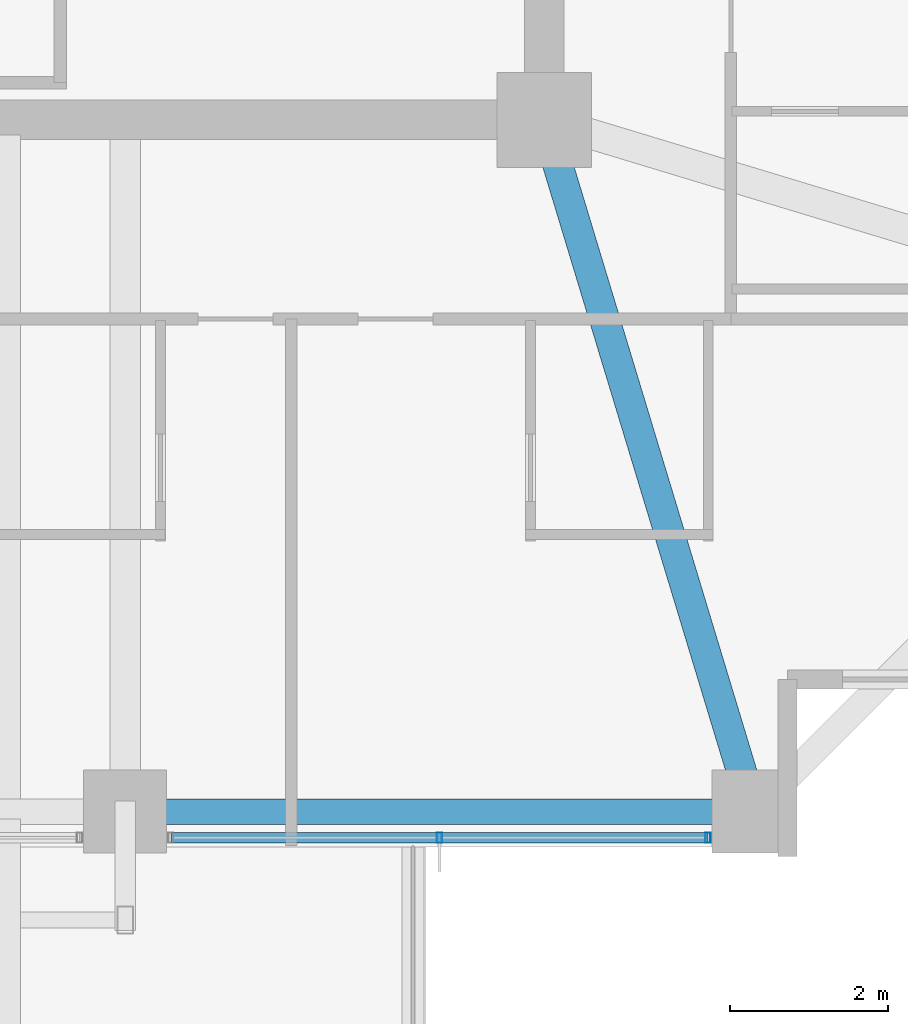
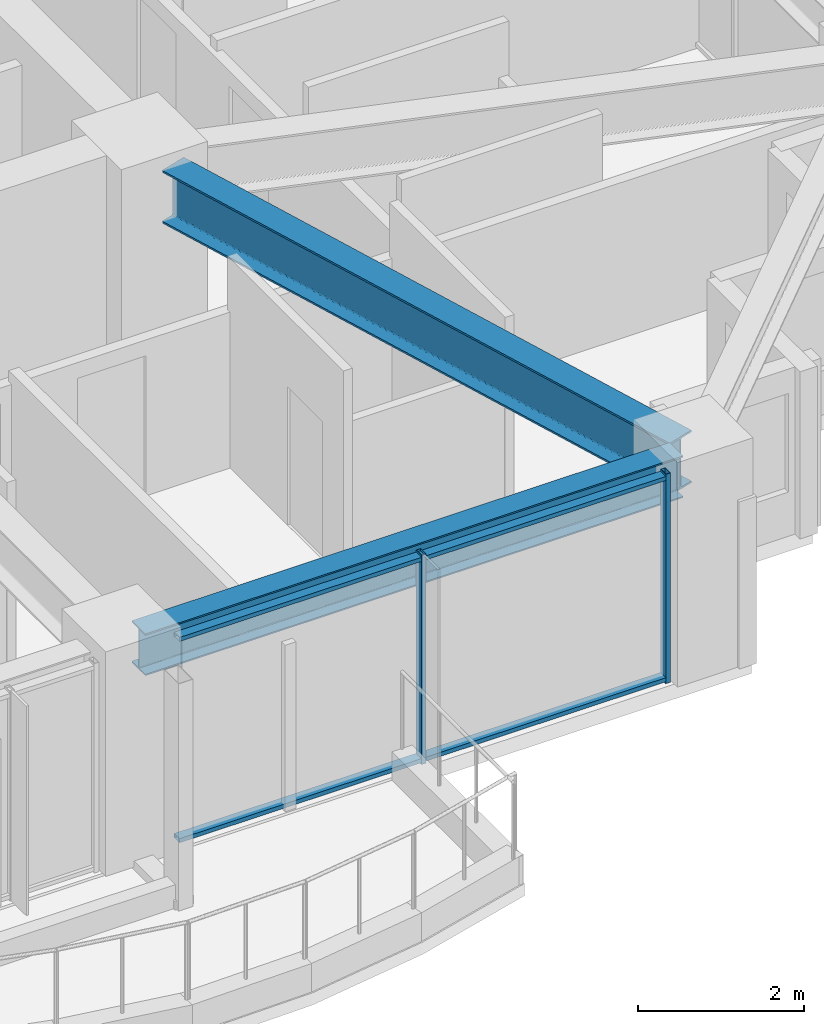
# One storey, part 6 of 34: 4 members, 2 beams, 1 element without a shape of its own.
"""IFC4 building model written with IfcOpenShell, lengths in metres."""

from ifc_helpers import new_model, si_unit, direction, frame, origin, origin_2d, place, context, subcontext, project, spatial, hollow_rectangle, i_section, extrude, material, material_profile, profile_set, type_object, element, aggregate, save


model = new_model("IFC4")

# Units and contexts
model_context = context("Model", 3, precision=1e-05, world=origin(), true_north=direction((0.0, 1.0)))
body_context = subcontext(model_context, "Body", "Model", "MODEL_VIEW")
ifc_project = project(units=[si_unit("LENGTHUNIT", "METRE"), si_unit("AREAUNIT", "SQUARE_METRE"), si_unit("VOLUMEUNIT", "CUBIC_METRE"), si_unit("PLANEANGLEUNIT", "RADIAN"), si_unit("MASSUNIT", "GRAM", prefix="KILO")], contexts=[model_context])

# Site, building, storey
site_placement = place(None, origin())
site = spatial("IfcSite", under=ifc_project, at=site_placement, CompositionType="ELEMENT")
building_placement = place(site_placement, origin())
building = spatial("IfcBuilding", under=site, at=building_placement, Name="Kolvaren Belvedere", CompositionType="ELEMENT")
storey_placement = place(building_placement, frame((0.0, 0.0, 111.800048828125)))
storey = spatial("IfcBuildingStorey", under=building, at=storey_placement, Name="L32", CompositionType="ELEMENT", Elevation=111.800048828125)

# Beams
ifc_material_1 = material(Name="Structural steel ASTM A992 Grade 50", Category="steel")
ifc_material_profile_1 = material_profile(ifc_material_1, i_section(OverallWidth=0.381103515625, OverallDepth=0.77294921875, WebThickness=0.0166015625, FlangeThickness=0.027099609375, FilletRadius=0.02392578125, at=origin_2d()), Name="W30X173")
ifc_profile_set_1 = profile_set([ifc_material_profile_1], Name="Structural steel ASTM A992 Grade 50")
beam_type_1 = type_object("IfcBeamType", Name="BM-GIRD-W30X173", PredefinedType="BEAM", material=ifc_profile_set_1)
beam_1_placement = place(storey_placement, frame((10.059326171875, -10.426513671875, 2.693359375), z_axis=(0.289858652454, -0.957069465398, 0.0), x_axis=(0.957069465398, 0.289858652454, 0.0)))
element("IfcBeam", 1, at=beam_1_placement, inside=storey, type_object=beam_type_1, Name="L32 Corner Core-to-Perimeter Girder CC2-S4", PredefinedType="BEAM", context=body_context, shape_type="SweptSolid", body=[
    extrude(i_section(OverallWidth=0.381103515625, OverallDepth=0.77294921875, WebThickness=0.0166015625, FlangeThickness=0.027099609375, FilletRadius=0.02392578125, at=origin_2d()), origin(), (0.0, 0.0, 1.0), 8.38232421875),
])
ifc_material_2 = material(Name="Structural steel ASTM A992 Grade 50", Category="steel")
ifc_material_profile_2 = material_profile(ifc_material_2, i_section(OverallWidth=0.324951171875, OverallDepth=0.615966796875, WebThickness=0.013916015625, FlangeThickness=0.021484375, FilletRadius=0.02001953125, at=origin_2d()), Name="W24X117")
ifc_profile_set_2 = profile_set([ifc_material_profile_2], Name="Structural steel ASTM A992 Grade 50")
beam_type_2 = type_object("IfcBeamType", Name="BM-SPAN-W24X117", PredefinedType="SPANDREL", material=ifc_profile_set_2)
beam_2_placement = place(storey_placement, frame((4.836181640625, -18.64990234375, 2.77197265625), z_axis=(1.0, 0.0, 0.0), x_axis=(0.0, 1.0, 0.0)))
element("IfcBeam", 2, at=beam_2_placement, inside=storey, type_object=beam_type_2, Name="L32 Perimeter Spandrel S3-S4", PredefinedType="SPANDREL", context=body_context, shape_type="SweptSolid", body=[
    extrude(i_section(OverallWidth=0.324951171875, OverallDepth=0.615966796875, WebThickness=0.013916015625, FlangeThickness=0.021484375, FilletRadius=0.02001953125, at=origin_2d()), origin(), (0.0, 0.0, 1.0), 7.4775390625),
])

# Curtain wall, members
ifc_material_3 = material(Name="Anodised pale-metal aluminium AA 6063-T6", Category="aluminium")
curtain_wall_type = type_object("IfcCurtainWallType", Name="CW-Z3-WAIST", PredefinedType="NOTDEFINED", material=ifc_material_3)
curtain_wall_placement = place(storey_placement, origin())
curtain_wall = element("IfcCurtainWall", 3, at=curtain_wall_placement, inside=storey, type_object=curtain_wall_type, Name="L32 Unitised Curtain Wall FCW-L32-S1-B1", PredefinedType="NOTDEFINED")
ifc_material_4 = material(Name="Anodised pale-metal aluminium AA 6063-T6", Category="aluminium")
ifc_material_profile_3 = material_profile(ifc_material_4, hollow_rectangle(XDim=0.06494140625, YDim=0.1298828125, WallThickness=0.00390625, at=origin_2d()), Name="ALU-MUL-130X65")
ifc_profile_set_3 = profile_set([ifc_material_profile_3], Name="Anodised pale-metal aluminium AA 6063-T6")
member_type_1 = type_object("IfcMemberType", Name="CW-MUL-130", PredefinedType="MULLION", material=ifc_profile_set_3)
member_1_placement = place(storey_placement, frame((11.972412109375, -18.97998046875, 0.0), z_axis=(0.0, 0.0, 1.0), x_axis=(1.0, 0.0, 0.0)))
member_1 = element("IfcMember", 4, at=member_1_placement, type_object=member_type_1, Name="FCW-L32-S1-B1 Unitised Mullion 1", PredefinedType="MULLION", context=body_context, shape_type="SweptSolid", body=[
    extrude(hollow_rectangle(XDim=0.06494140625, YDim=0.1298828125, WallThickness=0.00390625, at=origin_2d()), origin(), (0.0, 0.0, 1.0), 3.079833984375),
])
member_2_placement = place(storey_placement, frame((8.574951171875, -18.97998046875, 0.0), z_axis=(0.0, 0.0, 1.0), x_axis=(1.0, 0.0, 0.0)))
member_2 = element("IfcMember", 5, at=member_2_placement, type_object=member_type_1, Name="FCW-L32-S1-B1 Unitised Mullion 2", PredefinedType="MULLION", context=body_context, shape_type="SweptSolid", body=[
    extrude(hollow_rectangle(XDim=0.06494140625, YDim=0.1298828125, WallThickness=0.00390625, at=origin_2d()), origin(), (0.0, 0.0, 1.0), 3.079833984375),
])
ifc_material_5 = material(Name="Anodised pale-metal aluminium AA 6063-T6", Category="aluminium")
ifc_material_profile_4 = material_profile(ifc_material_5, hollow_rectangle(XDim=0.06005859375, YDim=0.1298828125, WallThickness=0.00390625, at=origin_2d()), Name="ALU-TRN-130X60")
ifc_profile_set_4 = profile_set([ifc_material_profile_4], Name="Anodised pale-metal aluminium AA 6063-T6")
member_type_2 = type_object("IfcMemberType", Name="CW-TRN-130", PredefinedType="USERDEFINED", material=ifc_profile_set_4)
member_3_placement = place(storey_placement, frame((11.972412109375, -18.97998046875, 0.06005859375), z_axis=(-1.0, 0.0, 0.0), x_axis=(0.0, 0.0, 1.0)))
member_3 = element("IfcMember", 6, at=member_3_placement, type_object=member_type_2, Name="FCW-L32-S1-B1 Sill Transom", ObjectType="TRANSOM", PredefinedType="USERDEFINED", context=body_context, shape_type="SweptSolid", body=[
    extrude(hollow_rectangle(XDim=0.06005859375, YDim=0.1298828125, WallThickness=0.00390625, at=origin_2d()), origin(), (0.0, 0.0, 1.0), 6.794921875),
])
member_4_placement = place(storey_placement, frame((11.972412109375, -18.97998046875, 3.02001953125), z_axis=(-1.0, 0.0, 0.0), x_axis=(0.0, 0.0, 1.0)))
member_4 = element("IfcMember", 7, at=member_4_placement, type_object=member_type_2, Name="FCW-L32-S1-B1 Head Transom", ObjectType="TRANSOM", PredefinedType="USERDEFINED", context=body_context, shape_type="SweptSolid", body=[
    extrude(hollow_rectangle(XDim=0.06005859375, YDim=0.1298828125, WallThickness=0.00390625, at=origin_2d()), origin(), (0.0, 0.0, 1.0), 6.794921875),
])
aggregate(curtain_wall, [member_1, member_2, member_3, member_4])

save(model, "model.ifc")
